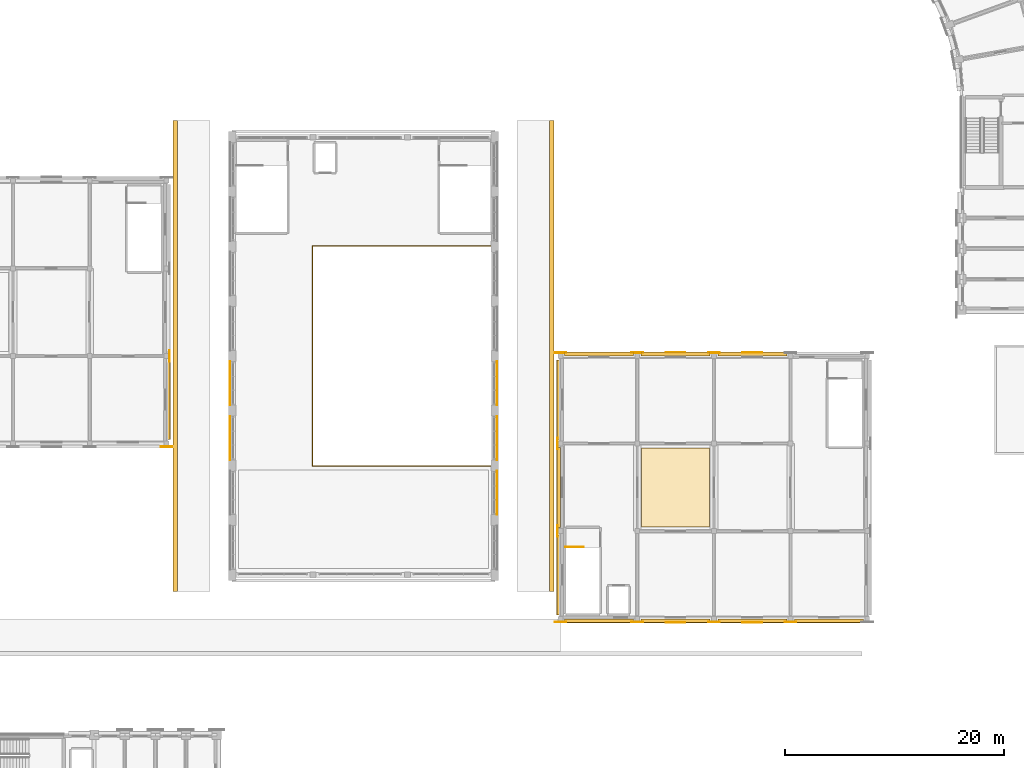
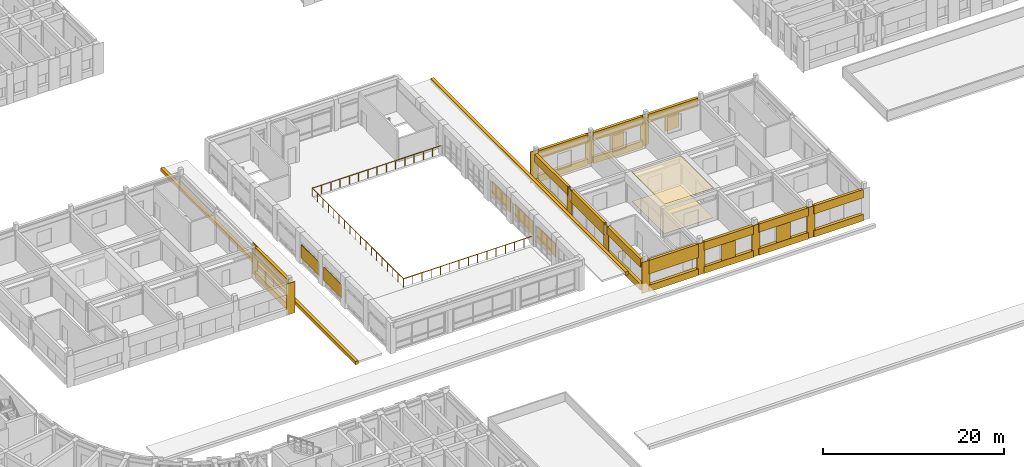
# One storey, part 87 of 97: 36 coverings, 9 shading devices, 2 railings.
"""IFC4 building model written with IfcOpenShell, lengths in metres."""

import ifcopenshell
import ifcopenshell.guid

model = None  # the IFC model being written
_history = None  # IfcOwnerHistory: only IFC2X3 demands one
_inside = {}  # id of a spatial element -> (the spatial element, [elements in it])
_under = {}  # id of a project, library or spatial element -> (it, [spatial elements below it])
_declared = {}  # id of a project -> (the project, [libraries it declares])
_typed = {}  # id of a type object -> (the type object, [elements of that type])
_made_of = {}  # id of a material, layer set ... -> (it, [elements and type objects made of it])


def new_model(schema):
    """Start an empty IFC model of exactly this schema.

    Asked for "IFC4X3", IfcOpenShell would pick the latest addendum, in which some entities
    have other attributes; the version numbers below select the first issue.
    IFC2X3 requires an IfcOwnerHistory on every rooted entity: one is made here for all.
    """
    global model, _history
    if schema == "IFC4X3":
        model = ifcopenshell.file(schema_version=(4, 3, 0, 0))
    else:
        model = ifcopenshell.file(schema=schema)
    _inside.clear()
    _under.clear()
    _declared.clear()
    _typed.clear()
    _made_of.clear()
    _history = None
    if model.schema == "IFC2X3":
        org = make("IfcOrganization", Name="unknown")
        user = make(
            "IfcPersonAndOrganization",
            ThePerson=make("IfcPerson", FamilyName="unknown"),
            TheOrganization=org,
        )
        app = make(
            "IfcApplication",
            ApplicationDeveloper=org,
            Version="unknown",
            ApplicationFullName="unknown",
            ApplicationIdentifier="unknown",
        )
        _history = make(
            "IfcOwnerHistory",
            OwningUser=user,
            OwningApplication=app,
            ChangeAction="ADDED",
            CreationDate=0,
        )
    return model


def make(cls, **values):
    """One entity of the class cls with the attributes given. An attribute that is None is left unset."""
    return model.create_entity(
        cls, **{name: value for name, value in values.items() if value is not None}
    )


def rooted(cls, **values):
    """An entity with a GlobalId (a new one), such as an element, a storey or a relation."""
    return make(cls, GlobalId=ifcopenshell.guid.new(), OwnerHistory=_history, **values)


def si_unit(unit_type, name, prefix=None):
    """IfcSIUnit, for example si_unit("LENGTHUNIT", "METRE", prefix="MILLI")."""
    return make("IfcSIUnit", UnitType=unit_type, Prefix=prefix, Name=name)


def assignment(units):
    """IfcUnitAssignment: the units of a project."""
    return None if units is None else make("IfcUnitAssignment", Units=units)


def point(xyz):
    """IfcCartesianPoint."""
    return None if xyz is None else make("IfcCartesianPoint", Coordinates=xyz)


def direction(xyz):
    """IfcDirection."""
    return None if xyz is None else make("IfcDirection", DirectionRatios=xyz)


def frame(location, z_axis=None, x_axis=None):
    """IfcAxis2Placement3D, a coordinate frame: its origin and axes. An axis left out is left unset."""
    return make(
        "IfcAxis2Placement3D",
        Location=point(location),
        Axis=direction(z_axis),
        RefDirection=direction(x_axis),
    )


def frame_2d(location, x_axis=None):
    """IfcAxis2Placement2D, a coordinate frame in the plane: its origin and x axis."""
    return make(
        "IfcAxis2Placement2D", Location=point(location), RefDirection=direction(x_axis)
    )


def origin():
    """The frame at (0, 0, 0) with its axes left unset."""
    return frame((0.0, 0.0, 0.0))


def origin_2d():
    """The frame at (0, 0) in the plane with its x axis left unset."""
    return frame_2d((0.0, 0.0))


def place(relative_to, where):
    """IfcLocalPlacement: puts the frame where relative to a parent placement (None: the world)."""
    return make(
        "IfcLocalPlacement", PlacementRelTo=relative_to, RelativePlacement=where
    )


def context(
    kind, dimensions, precision=None, world=None, true_north=None, identifier=None
):
    """IfcGeometricRepresentationContext, for example the 3D "Model" context."""
    return make(
        "IfcGeometricRepresentationContext",
        ContextIdentifier=identifier,
        ContextType=kind,
        CoordinateSpaceDimension=dimensions,
        Precision=precision,
        WorldCoordinateSystem=world,
        TrueNorth=true_north,
    )


def subcontext(parent, identifier, kind, view, scale=None):
    """IfcGeometricRepresentationSubContext, for example "Body" below "Model"."""
    return make(
        "IfcGeometricRepresentationSubContext",
        ContextIdentifier=identifier,
        ContextType=kind,
        ParentContext=parent,
        TargetScale=scale,
        TargetView=view,
    )


def project(units=None, contexts=None):
    """IfcProject with its units and contexts."""
    return rooted(
        "IfcProject",
        Name="project",
        RepresentationContexts=contexts,
        UnitsInContext=assignment(units),
    )


def spatial(cls, under=None, at=None, **own):
    """A site, building, storey or space (cls), placed at a placement, below another one or the project."""
    s = rooted(cls, ObjectPlacement=at, **own)
    if under is not None:
        _under.setdefault(under.id(), (under, []))[1].append(s)
    return s


def polyline(points):
    """IfcPolyline through the points."""
    return make("IfcPolyline", Points=[point(p) for p in points])


def profile(cls, at=None, kind="AREA", **sizes):
    """A parametric profile (cls). Its sizes go by their IFC names, for example OverallWidth=200.0."""
    return make(cls, ProfileType=kind, Position=at, **sizes)


def rectangle(**sizes):
    """IfcRectangleProfileDef."""
    return profile("IfcRectangleProfileDef", **sizes)


def circle(**sizes):
    """IfcCircleProfileDef."""
    return profile("IfcCircleProfileDef", **sizes)


def outline(outer, holes=None, kind="AREA"):
    """IfcArbitraryClosedProfileDef: a profile drawn as a closed curve; with holes, ...WithVoids."""
    if holes is None:
        return make("IfcArbitraryClosedProfileDef", ProfileType=kind, OuterCurve=outer)
    return make(
        "IfcArbitraryProfileDefWithVoids",
        ProfileType=kind,
        OuterCurve=outer,
        InnerCurves=holes,
    )


def extrude(swept, where, along, depth):
    """IfcExtrudedAreaSolid: the profile swept, set in the frame where, extruded along a direction by depth."""
    return make(
        "IfcExtrudedAreaSolid",
        SweptArea=swept,
        Position=where,
        ExtrudedDirection=direction(along),
        Depth=depth,
    )


def shape(context_of_items, identifier, shape_type, items):
    """IfcShapeRepresentation: the items that make up one representation, for example the "Body"."""
    return make(
        "IfcShapeRepresentation",
        ContextOfItems=context_of_items,
        RepresentationIdentifier=identifier,
        RepresentationType=shape_type,
        Items=items,
    )


def material(Name=None, Category=None):
    """IfcMaterial."""
    return make("IfcMaterial", Name=Name, Category=Category)


def layer(
    of_material, thickness, ventilated=None, Name=None, Category=None, Priority=None
):
    """IfcMaterialLayer: one layer of a wall or slab, of a material (None: an air gap)."""
    return make(
        "IfcMaterialLayer",
        Material=of_material,
        LayerThickness=thickness,
        IsVentilated=ventilated,
        Name=Name,
        Category=Category,
        Priority=Priority,
    )


def layer_set(layers, Name=None):
    """IfcMaterialLayerSet."""
    return make("IfcMaterialLayerSet", MaterialLayers=layers, LayerSetName=Name)


def made_of(thing, what):
    """Note that an element or type object is made of a material, layer set ...; save() writes the relation."""
    if what is not None:
        _made_of.setdefault(what.id(), (what, []))[1].append(thing)
    return thing


def type_object(cls, material=None, **own):
    """A type object (cls), such as IfcWallType, which elements share."""
    return made_of(rooted(cls, **own), material)


def element(
    cls,
    number,
    at=None,
    inside=None,
    cuts=None,
    type_object=None,
    material=None,
    context=None,
    identifier="Body",
    shape_type=None,
    held_by="IfcProductDefinitionShape",
    body=None,
    shapes=None,
    **own,
):
    """One element of the class cls, such as IfcWall. Its Tag is "e" and its number.

    at: its placement. inside: the storey or other place that contains it. cuts: it is an
    opening in that element (IfcRelVoidsElement). A single representation is given by context,
    identifier, shape_type and body (its items); several are given by shapes. held_by: the class
    of the entity that holds the representations. save() writes the other relations.
    """
    e = rooted(cls, Tag="e%d" % number, ObjectPlacement=at, **own)
    if body is not None:
        shapes = [shape(context, identifier, shape_type, body)]
    if shapes is not None:
        e.Representation = make(held_by, Representations=shapes)
    if inside is not None:
        _inside.setdefault(inside.id(), (inside, []))[1].append(e)
    if cuts is not None:
        rooted(
            "IfcRelVoidsElement", RelatingBuildingElement=cuts, RelatedOpeningElement=e
        )
    if type_object is not None:
        _typed.setdefault(type_object.id(), (type_object, []))[1].append(e)
    return made_of(e, material)


def aggregate(whole, parts):
    """IfcRelAggregates: a whole, such as a stair, and the parts it consists of."""
    return rooted("IfcRelAggregates", RelatingObject=whole, RelatedObjects=parts)


def save(model, path):
    """Write the relations noted so far, then the file.

    IfcRelAggregates (storeys below a building ...), IfcRelContainedInSpatialStructure (elements
    in a storey), IfcRelDefinesByType, IfcRelAssociatesMaterial and IfcRelDeclares: one each for
    every whole, place, type object, material and project.
    """
    for whole, parts in _under.values():
        aggregate(whole, parts)
    for where, things in _inside.values():
        rooted(
            "IfcRelContainedInSpatialStructure",
            RelatedElements=things,
            RelatingStructure=where,
        )
    for kind, things in _typed.values():
        rooted("IfcRelDefinesByType", RelatedObjects=things, RelatingType=kind)
    for what, things in _made_of.values():
        rooted("IfcRelAssociatesMaterial", RelatedObjects=things, RelatingMaterial=what)
    for by, libraries in _declared.values():
        rooted("IfcRelDeclares", RelatingContext=by, RelatedDefinitions=libraries)
    model.write(path)


model = new_model("IFC4")

# Units and contexts
model_context = context("Model", 3, precision=1e-05, world=origin(), true_north=direction((0.0, 1.0)))
body_context = subcontext(model_context, "Body", "Model", "MODEL_VIEW")
ifc_project = project(units=[si_unit("LENGTHUNIT", "METRE"), si_unit("AREAUNIT", "SQUARE_METRE"), si_unit("VOLUMEUNIT", "CUBIC_METRE"), si_unit("PLANEANGLEUNIT", "RADIAN"), si_unit("MASSUNIT", "GRAM", prefix="KILO")], contexts=[model_context])

# Site, building, storey
site_placement = place(None, origin())
site = spatial("IfcSite", under=ifc_project, at=site_placement, CompositionType="ELEMENT")
building_placement = place(site_placement, origin())
building = spatial("IfcBuilding", under=site, at=building_placement, Name="Kiranvali Square Residences", CompositionType="ELEMENT")
storey_placement = place(building_placement, frame((0.0, 0.0, 4.5)))
storey = spatial("IfcBuildingStorey", under=building, at=storey_placement, Name="L01", CompositionType="ELEMENT", Elevation=4.5)

# Coverings
ifc_material_1 = material(Name="Perforated acoustic mineral-fibre and gypsum board ceiling", Category="gypsum")
ifc_layer_1 = layer(ifc_material_1, 0.030029296875)
ifc_layer_set_1 = layer_set([ifc_layer_1], Name="Perforated acoustic mineral-fibre and gypsum board ceiling")
covering_type_1 = type_object("IfcCoveringType", Name="COV-CEIL-ACOUSTIC", PredefinedType="CEILING", material=ifc_layer_set_1)
covering_1_placement = place(storey_placement, frame((0.0, 0.0, 3.969970703125)))
element("IfcCovering", 1, at=covering_1_placement, inside=storey, type_object=covering_type_1, Name="Square View Mezzanine Dining acoustic ceiling", PredefinedType="CEILING", context=body_context, shape_type="SweptSolid", body=[
    extrude(outline(polyline([(109.39990234375, 48.39990234375), (115.60009765625, 48.39990234375), (115.60009765625, 55.60009765625), (109.39990234375, 55.60009765625), (109.39990234375, 48.39990234375)])), origin(), (0.0, 0.0, 1.0), 0.030029296875),
])
ifc_material_2 = material(Name="Carved Porbandar limestone classical entablature and cornice", Category="masonry")
ifc_layer_2 = layer(ifc_material_2, 0.449951171875)
ifc_layer_set_2 = layer_set([ifc_layer_2], Name="Carved Porbandar limestone classical entablature and cornice")
covering_type_2 = type_object("IfcCoveringType", Name="COV-CLAD-CORN", PredefinedType="CLADDING", material=ifc_layer_set_2)
covering_2_placement = place(storey_placement, frame((0.0, 0.0, 0.919921875)))
element("IfcCovering", 2, at=covering_2_placement, inside=storey, type_object=covering_type_2, Name="Classical Ottoman colonnade carved stone cornice CLAD-CORN-ARCGDNW", PredefinedType="CLADDING", context=body_context, shape_type="SweptSolid", body=[
    extrude(outline(polyline([(66.99951171875, 42.5), (66.99951171875, 85.5), (66.6201171875, 85.5), (66.6201171875, 42.5), (66.99951171875, 42.5)])), origin(), (0.0, 0.0, 1.0), 0.4599609375),
])
covering_3_placement = place(storey_placement, frame((0.0, 0.0, 0.919921875)))
element("IfcCovering", 3, at=covering_3_placement, inside=storey, type_object=covering_type_2, Name="Classical Ottoman colonnade carved stone cornice CLAD-CORN-ARCGDNE", PredefinedType="CLADDING", context=body_context, shape_type="SweptSolid", body=[
    extrude(outline(polyline([(101.3798828125, 42.5), (101.3798828125, 85.5), (101.00048828125, 85.5), (101.00048828125, 42.5), (101.3798828125, 42.5)])), origin(), (0.0, 0.0, 1.0), 0.4599609375),
])
ifc_material_3 = material(Name="Honed Porbandar limestone ashlar facade cladding", Category="masonry")
ifc_layer_3 = layer(ifc_material_3, 0.06494140625)
ifc_layer_set_3 = layer_set([ifc_layer_3], Name="Honed Porbandar limestone ashlar facade cladding")
covering_type_3 = type_object("IfcCoveringType", Name="COV-CLAD-PIER", PredefinedType="CLADDING", material=ifc_layer_set_3)
covering_4_placement = place(storey_placement, frame((0.0, 0.0, 0.0048828125)))
element("IfcCovering", 4, at=covering_4_placement, inside=storey, type_object=covering_type_3, Name="L01 Classical limestone pilaster casing CLAD-NR-L01-S4", PredefinedType="CLADDING", context=body_context, shape_type="SweptSolid", body=[
    extrude(outline(polyline([(65.469970703125, 55.681884765625), (66.530029296875, 55.681884765625), (66.530029296875, 55.74951171875), (65.469970703125, 55.74951171875), (65.469970703125, 55.681884765625)])), origin(), (0.0, 0.0, 1.0), 4.190185546875),
])
covering_5_placement = place(storey_placement, frame((0.0, 0.0, 0.0048828125)))
element("IfcCovering", 5, at=covering_5_placement, inside=storey, type_object=covering_type_3, Name="L01 Classical limestone pilaster casing CLAD-NR-L01-E1", PredefinedType="CLADDING", context=body_context, shape_type="SweptSolid", body=[
    extrude(outline(polyline([(66.318115234375, 63.469970703125), (66.318115234375, 64.530029296875), (66.25048828125, 64.530029296875), (66.25048828125, 63.469970703125), (66.318115234375, 63.469970703125)])), origin(), (0.0, 0.0, 1.0), 4.190185546875),
])
covering_6_placement = place(storey_placement, frame((0.0, 0.0, 0.0048828125)))
element("IfcCovering", 6, at=covering_6_placement, inside=storey, type_object=covering_type_3, Name="L01 Classical limestone pilaster casing CLAD-RT-L01-S0", PredefinedType="CLADDING", context=body_context, shape_type="SweptSolid", body=[
    extrude(outline(polyline([(101.469970703125, 39.681884765625), (102.530029296875, 39.681884765625), (102.530029296875, 39.74951171875), (101.469970703125, 39.74951171875), (101.469970703125, 39.681884765625)])), origin(), (0.0, 0.0, 1.0), 4.190185546875),
])
covering_7_placement = place(storey_placement, frame((0.0, 0.0, 0.0048828125)))
element("IfcCovering", 7, at=covering_7_placement, inside=storey, type_object=covering_type_3, Name="L01 Classical limestone pilaster casing CLAD-RT-L01-N0", PredefinedType="CLADDING", context=body_context, shape_type="SweptSolid", body=[
    extrude(outline(polyline([(101.469970703125, 64.25048828125), (102.530029296875, 64.25048828125), (102.530029296875, 64.318115234375), (101.469970703125, 64.318115234375), (101.469970703125, 64.25048828125)])), origin(), (0.0, 0.0, 1.0), 4.190185546875),
])
covering_8_placement = place(storey_placement, frame((0.0, 0.0, 0.0048828125)))
element("IfcCovering", 8, at=covering_8_placement, inside=storey, type_object=covering_type_3, Name="L01 Classical limestone pilaster casing CLAD-RT-L01-S1", PredefinedType="CLADDING", context=body_context, shape_type="SweptSolid", body=[
    extrude(outline(polyline([(108.469970703125, 39.681884765625), (109.530029296875, 39.681884765625), (109.530029296875, 39.74951171875), (108.469970703125, 39.74951171875), (108.469970703125, 39.681884765625)])), origin(), (0.0, 0.0, 1.0), 4.190185546875),
])
covering_9_placement = place(storey_placement, frame((0.0, 0.0, 0.0048828125)))
element("IfcCovering", 9, at=covering_9_placement, inside=storey, type_object=covering_type_3, Name="L01 Classical limestone pilaster casing CLAD-RT-L01-N1", PredefinedType="CLADDING", context=body_context, shape_type="SweptSolid", body=[
    extrude(outline(polyline([(108.469970703125, 64.25048828125), (109.530029296875, 64.25048828125), (109.530029296875, 64.318115234375), (108.469970703125, 64.318115234375), (108.469970703125, 64.25048828125)])), origin(), (0.0, 0.0, 1.0), 4.190185546875),
])
covering_10_placement = place(storey_placement, frame((0.0, 0.0, 0.0048828125)))
element("IfcCovering", 10, at=covering_10_placement, inside=storey, type_object=covering_type_3, Name="L01 Classical limestone pilaster casing CLAD-RT-L01-S2", PredefinedType="CLADDING", context=body_context, shape_type="SweptSolid", body=[
    extrude(outline(polyline([(115.469970703125, 39.681884765625), (116.530029296875, 39.681884765625), (116.530029296875, 39.74951171875), (115.469970703125, 39.74951171875), (115.469970703125, 39.681884765625)])), origin(), (0.0, 0.0, 1.0), 4.190185546875),
])
covering_11_placement = place(storey_placement, frame((0.0, 0.0, 0.0048828125)))
element("IfcCovering", 11, at=covering_11_placement, inside=storey, type_object=covering_type_3, Name="L01 Classical limestone pilaster casing CLAD-RT-L01-N2", PredefinedType="CLADDING", context=body_context, shape_type="SweptSolid", body=[
    extrude(outline(polyline([(115.469970703125, 64.25048828125), (116.530029296875, 64.25048828125), (116.530029296875, 64.318115234375), (115.469970703125, 64.318115234375), (115.469970703125, 64.25048828125)])), origin(), (0.0, 0.0, 1.0), 4.190185546875),
])
covering_12_placement = place(storey_placement, frame((0.0, 0.0, 0.0048828125)))
element("IfcCovering", 12, at=covering_12_placement, inside=storey, type_object=covering_type_3, Name="L01 Classical limestone pilaster casing CLAD-RT-L01-S3", PredefinedType="CLADDING", context=body_context, shape_type="SweptSolid", body=[
    extrude(outline(polyline([(122.469970703125, 39.681884765625), (123.530029296875, 39.681884765625), (123.530029296875, 39.74951171875), (122.469970703125, 39.74951171875), (122.469970703125, 39.681884765625)])), origin(), (0.0, 0.0, 1.0), 4.190185546875),
])
covering_13_placement = place(storey_placement, frame((0.0, 0.0, 0.0048828125)))
element("IfcCovering", 13, at=covering_13_placement, inside=storey, type_object=covering_type_3, Name="L01 Classical limestone pilaster casing CLAD-RT-L01-W1", PredefinedType="CLADDING", context=body_context, shape_type="SweptSolid", body=[
    extrude(outline(polyline([(101.74951171875, 47.469970703125), (101.74951171875, 48.530029296875), (101.681884765625, 48.530029296875), (101.681884765625, 47.469970703125), (101.74951171875, 47.469970703125)])), origin(), (0.0, 0.0, 1.0), 4.190185546875),
])
covering_14_placement = place(storey_placement, frame((0.0, 0.0, 0.0048828125)))
element("IfcCovering", 14, at=covering_14_placement, inside=storey, type_object=covering_type_3, Name="L01 Classical limestone pilaster casing CLAD-RT-L01-W2", PredefinedType="CLADDING", context=body_context, shape_type="SweptSolid", body=[
    extrude(outline(polyline([(101.74951171875, 55.469970703125), (101.74951171875, 56.530029296875), (101.681884765625, 56.530029296875), (101.681884765625, 55.469970703125), (101.74951171875, 55.469970703125)])), origin(), (0.0, 0.0, 1.0), 4.190185546875),
])
ifc_layer_4 = layer(ifc_material_3, 0.360107421875)
ifc_layer_set_4 = layer_set([ifc_layer_4], Name="Honed Porbandar limestone ashlar facade cladding")
covering_type_4 = type_object("IfcCoveringType", Name="COV-CLAD-WALL", PredefinedType="CLADDING", material=ifc_layer_set_4)
covering_15_placement = place(storey_placement, frame((0.0, 0.0, 2.780029296875)))
element("IfcCovering", 15, at=covering_15_placement, inside=storey, type_object=covering_type_4, Name="L01 light limestone spandrel lintel NR-L01-E-0", PredefinedType="CLADDING", context=body_context, shape_type="SweptSolid", body=[
    extrude(outline(polyline([(66.35009765625, 56.35009765625), (66.35009765625, 63.64990234375), (66.00048828125, 63.64990234375), (66.00048828125, 56.35009765625), (66.35009765625, 56.35009765625)])), origin(), (0.0, 0.0, 1.0), 1.4150390625),
])
covering_16_placement = place(storey_placement, frame((0.0, 0.0, 0.0048828125)))
element("IfcCovering", 16, at=covering_16_placement, inside=storey, type_object=covering_type_4, Name="L01 limestone window sill apron NR-L01-E-0", PredefinedType="CLADDING", context=body_context, shape_type="SweptSolid", body=[
    extrude(outline(polyline([(66.3798828125, 56.35009765625), (66.3798828125, 63.64990234375), (66.00048828125, 63.64990234375), (66.00048828125, 56.35009765625), (66.3798828125, 56.35009765625)])), origin(), (0.0, 0.0, 1.0), 0.875),
])
covering_17_placement = place(storey_placement, frame((0.0, 0.0, 2.3798828125)))
element("IfcCovering", 17, at=covering_17_placement, inside=storey, type_object=covering_type_4, Name="L01 light limestone spandrel lintel RT-L01-S-0", PredefinedType="CLADDING", context=body_context, shape_type="SweptSolid", body=[
    extrude(outline(polyline([(102.35009765625, 39.64990234375), (108.64990234375, 39.64990234375), (108.64990234375, 39.99951171875), (102.35009765625, 39.99951171875), (102.35009765625, 39.64990234375)])), origin(), (0.0, 0.0, 1.0), 1.815185546875),
])
covering_18_placement = place(storey_placement, frame((0.0, 0.0, 0.0048828125)))
element("IfcCovering", 18, at=covering_18_placement, inside=storey, type_object=covering_type_4, Name="L01 limestone window sill apron RT-L01-S-0", PredefinedType="CLADDING", context=body_context, shape_type="SweptSolid", body=[
    extrude(outline(polyline([(102.35009765625, 39.6201171875), (108.64990234375, 39.6201171875), (108.64990234375, 39.99951171875), (102.35009765625, 39.99951171875), (102.35009765625, 39.6201171875)])), origin(), (0.0, 0.0, 1.0), 0.875),
])
covering_19_placement = place(storey_placement, frame((0.0, 0.0, 3.080078125)))
element("IfcCovering", 19, at=covering_19_placement, inside=storey, type_object=covering_type_4, Name="L01 light limestone spandrel lintel RT-L01-N-0", PredefinedType="CLADDING", context=body_context, shape_type="SweptSolid", body=[
    extrude(outline(polyline([(102.35009765625, 64.00048828125), (108.64990234375, 64.00048828125), (108.64990234375, 64.35009765625), (102.35009765625, 64.35009765625), (102.35009765625, 64.00048828125)])), origin(), (0.0, 0.0, 1.0), 1.114990234375),
])
covering_20_placement = place(storey_placement, frame((0.0, 0.0, 0.0048828125)))
element("IfcCovering", 20, at=covering_20_placement, inside=storey, type_object=covering_type_4, Name="L01 limestone window sill apron RT-L01-N-0", PredefinedType="CLADDING", context=body_context, shape_type="SweptSolid", body=[
    extrude(outline(polyline([(102.35009765625, 64.00048828125), (108.64990234375, 64.00048828125), (108.64990234375, 64.3798828125), (102.35009765625, 64.3798828125), (102.35009765625, 64.00048828125)])), origin(), (0.0, 0.0, 1.0), 0.875),
])
covering_21_placement = place(storey_placement, frame((0.0, 0.0, 3.080078125)))
element("IfcCovering", 21, at=covering_21_placement, inside=storey, type_object=covering_type_4, Name="L01 light limestone spandrel lintel RT-L01-S-1", PredefinedType="CLADDING", context=body_context, shape_type="SweptSolid", body=[
    extrude(outline(polyline([(109.35009765625, 39.64990234375), (115.64990234375, 39.64990234375), (115.64990234375, 39.99951171875), (109.35009765625, 39.99951171875), (109.35009765625, 39.64990234375)])), origin(), (0.0, 0.0, 1.0), 1.114990234375),
])
covering_22_placement = place(storey_placement, frame((0.0, 0.0, 0.0048828125)))
element("IfcCovering", 22, at=covering_22_placement, inside=storey, type_object=covering_type_4, Name="L01 limestone window sill apron RT-L01-S-1", PredefinedType="CLADDING", context=body_context, shape_type="SweptSolid", body=[
    extrude(outline(polyline([(109.35009765625, 39.6201171875), (115.64990234375, 39.6201171875), (115.64990234375, 39.99951171875), (109.35009765625, 39.99951171875), (109.35009765625, 39.6201171875)])), origin(), (0.0, 0.0, 1.0), 0.875),
])
covering_23_placement = place(storey_placement, frame((0.0, 0.0, 3.080078125)))
element("IfcCovering", 23, at=covering_23_placement, inside=storey, type_object=covering_type_4, Name="L01 light limestone spandrel lintel RT-L01-N-1", PredefinedType="CLADDING", context=body_context, shape_type="SweptSolid", body=[
    extrude(outline(polyline([(109.35009765625, 64.00048828125), (115.64990234375, 64.00048828125), (115.64990234375, 64.35009765625), (109.35009765625, 64.35009765625), (109.35009765625, 64.00048828125)])), origin(), (0.0, 0.0, 1.0), 1.114990234375),
])
covering_24_placement = place(storey_placement, frame((0.0, 0.0, 0.0048828125)))
element("IfcCovering", 24, at=covering_24_placement, inside=storey, type_object=covering_type_4, Name="L01 limestone window sill apron RT-L01-N-1", PredefinedType="CLADDING", context=body_context, shape_type="SweptSolid", body=[
    extrude(outline(polyline([(109.35009765625, 64.00048828125), (115.64990234375, 64.00048828125), (115.64990234375, 64.3798828125), (109.35009765625, 64.3798828125), (109.35009765625, 64.00048828125)])), origin(), (0.0, 0.0, 1.0), 0.875),
])
covering_25_placement = place(storey_placement, frame((0.0, 0.0, 3.080078125)))
element("IfcCovering", 25, at=covering_25_placement, inside=storey, type_object=covering_type_4, Name="L01 light limestone spandrel lintel RT-L01-S-2", PredefinedType="CLADDING", context=body_context, shape_type="SweptSolid", body=[
    extrude(outline(polyline([(116.35009765625, 39.64990234375), (122.64990234375, 39.64990234375), (122.64990234375, 39.99951171875), (116.35009765625, 39.99951171875), (116.35009765625, 39.64990234375)])), origin(), (0.0, 0.0, 1.0), 1.114990234375),
])
covering_26_placement = place(storey_placement, frame((0.0, 0.0, 0.0048828125)))
element("IfcCovering", 26, at=covering_26_placement, inside=storey, type_object=covering_type_4, Name="L01 limestone window sill apron RT-L01-S-2", PredefinedType="CLADDING", context=body_context, shape_type="SweptSolid", body=[
    extrude(outline(polyline([(116.35009765625, 39.6201171875), (122.64990234375, 39.6201171875), (122.64990234375, 39.99951171875), (116.35009765625, 39.99951171875), (116.35009765625, 39.6201171875)])), origin(), (0.0, 0.0, 1.0), 0.875),
])
covering_27_placement = place(storey_placement, frame((0.0, 0.0, 3.080078125)))
element("IfcCovering", 27, at=covering_27_placement, inside=storey, type_object=covering_type_4, Name="L01 light limestone spandrel lintel RT-L01-N-2", PredefinedType="CLADDING", context=body_context, shape_type="SweptSolid", body=[
    extrude(outline(polyline([(116.35009765625, 64.00048828125), (122.64990234375, 64.00048828125), (122.64990234375, 64.35009765625), (116.35009765625, 64.35009765625), (116.35009765625, 64.00048828125)])), origin(), (0.0, 0.0, 1.0), 1.114990234375),
])
covering_28_placement = place(storey_placement, frame((0.0, 0.0, 3.080078125)))
element("IfcCovering", 28, at=covering_28_placement, inside=storey, type_object=covering_type_4, Name="L01 light limestone spandrel lintel RT-L01-S-3", PredefinedType="CLADDING", context=body_context, shape_type="SweptSolid", body=[
    extrude(outline(polyline([(123.35009765625, 39.64990234375), (129.64990234375, 39.64990234375), (129.64990234375, 39.99951171875), (123.35009765625, 39.99951171875), (123.35009765625, 39.64990234375)])), origin(), (0.0, 0.0, 1.0), 1.114990234375),
])
covering_29_placement = place(storey_placement, frame((0.0, 0.0, 0.0048828125)))
element("IfcCovering", 29, at=covering_29_placement, inside=storey, type_object=covering_type_4, Name="L01 limestone window sill apron RT-L01-S-3", PredefinedType="CLADDING", context=body_context, shape_type="SweptSolid", body=[
    extrude(outline(polyline([(123.35009765625, 39.6201171875), (129.64990234375, 39.6201171875), (129.64990234375, 39.99951171875), (123.35009765625, 39.99951171875), (123.35009765625, 39.6201171875)])), origin(), (0.0, 0.0, 1.0), 0.875),
])
covering_30_placement = place(storey_placement, frame((0.0, 0.0, 3.080078125)))
element("IfcCovering", 30, at=covering_30_placement, inside=storey, type_object=covering_type_4, Name="L01 light limestone spandrel lintel RT-L01-W-0", PredefinedType="CLADDING", context=body_context, shape_type="SweptSolid", body=[
    extrude(outline(polyline([(101.99951171875, 40.35009765625), (101.99951171875, 47.64990234375), (101.64990234375, 47.64990234375), (101.64990234375, 40.35009765625), (101.99951171875, 40.35009765625)])), origin(), (0.0, 0.0, 1.0), 1.114990234375),
])
covering_31_placement = place(storey_placement, frame((0.0, 0.0, 0.0048828125)))
element("IfcCovering", 31, at=covering_31_placement, inside=storey, type_object=covering_type_4, Name="L01 limestone window sill apron RT-L01-W-0", PredefinedType="CLADDING", context=body_context, shape_type="SweptSolid", body=[
    extrude(outline(polyline([(101.99951171875, 40.35009765625), (101.99951171875, 47.64990234375), (101.6201171875, 47.64990234375), (101.6201171875, 40.35009765625), (101.99951171875, 40.35009765625)])), origin(), (0.0, 0.0, 1.0), 0.875),
])
covering_32_placement = place(storey_placement, frame((0.0, 0.0, 2.592041015625)))
element("IfcCovering", 32, at=covering_32_placement, inside=storey, type_object=covering_type_4, Name="L01 light limestone spandrel lintel RT-L01-W-1", PredefinedType="CLADDING", context=body_context, shape_type="SweptSolid", body=[
    extrude(outline(polyline([(101.99951171875, 48.35009765625), (101.99951171875, 55.64990234375), (101.64990234375, 55.64990234375), (101.64990234375, 48.35009765625), (101.99951171875, 48.35009765625)])), origin(), (0.0, 0.0, 1.0), 1.60302734375),
])
covering_33_placement = place(storey_placement, frame((0.0, 0.0, 0.0048828125)))
element("IfcCovering", 33, at=covering_33_placement, inside=storey, type_object=covering_type_4, Name="L01 limestone window sill apron RT-L01-W-1", PredefinedType="CLADDING", context=body_context, shape_type="SweptSolid", body=[
    extrude(outline(polyline([(101.99951171875, 48.35009765625), (101.99951171875, 55.64990234375), (101.6201171875, 55.64990234375), (101.6201171875, 48.35009765625), (101.99951171875, 48.35009765625)])), origin(), (0.0, 0.0, 1.0), 0.38720703125),
])
covering_34_placement = place(storey_placement, frame((0.0, 0.0, 3.080078125)))
element("IfcCovering", 34, at=covering_34_placement, inside=storey, type_object=covering_type_4, Name="L01 light limestone spandrel lintel RT-L01-W-2", PredefinedType="CLADDING", context=body_context, shape_type="SweptSolid", body=[
    extrude(outline(polyline([(101.99951171875, 56.35009765625), (101.99951171875, 63.64990234375), (101.64990234375, 63.64990234375), (101.64990234375, 56.35009765625), (101.99951171875, 56.35009765625)])), origin(), (0.0, 0.0, 1.0), 1.114990234375),
])
covering_35_placement = place(storey_placement, frame((0.0, 0.0, 0.0048828125)))
element("IfcCovering", 35, at=covering_35_placement, inside=storey, type_object=covering_type_4, Name="L01 limestone window sill apron RT-L01-W-2", PredefinedType="CLADDING", context=body_context, shape_type="SweptSolid", body=[
    extrude(outline(polyline([(101.99951171875, 56.35009765625), (101.99951171875, 63.64990234375), (101.6201171875, 63.64990234375), (101.6201171875, 56.35009765625), (101.99951171875, 56.35009765625)])), origin(), (0.0, 0.0, 1.0), 0.875),
])
ifc_material_4 = material(Name="Polished terrazzo and anti-slip vitrified floor finish", Category="stone")
ifc_layer_5 = layer(ifc_material_4, 0.030029296875)
ifc_layer_set_5 = layer_set([ifc_layer_5], Name="Polished terrazzo and anti-slip vitrified floor finish")
covering_type_5 = type_object("IfcCoveringType", Name="COV-FLR-TERRAZZO", PredefinedType="FLOORING", material=ifc_layer_set_5)
covering_36_placement = place(storey_placement, origin())
element("IfcCovering", 36, at=covering_36_placement, inside=storey, type_object=covering_type_5, Name="Square View Mezzanine Dining terrazzo flooring", PredefinedType="FLOORING", context=body_context, shape_type="SweptSolid", body=[
    extrude(outline(polyline([(109.39990234375, 48.39990234375), (115.60009765625, 48.39990234375), (115.60009765625, 55.60009765625), (109.39990234375, 55.60009765625), (109.39990234375, 48.39990234375)])), origin(), (0.0, 0.0, 1.0), 0.030029296875),
])

# Railings
ifc_material_5 = material(Name="Brushed stainless steel tubular handrail", Category="steel")
railing_type_1 = type_object("IfcRailingType", Name="RL-GAL-1150", PredefinedType="GUARDRAIL", material=ifc_material_5)
railing_1_placement = place(storey_placement, frame((95.85009765625, 53.93994140625, 0.0)))
element("IfcRailing", 37, at=railing_1_placement, inside=storey, type_object=railing_type_1, Name="Community Hall mezzanine gallery overlook balustrade", PredefinedType="GUARDRAIL", context=body_context, shape_type="SweptSolid", body=[
    extrude(circle(Radius=0.02392578125, at=origin_2d()), frame((0.0, 0.0, 1.1259765625), z_axis=(-1.0, 0.0, 0.0), x_axis=(0.0, -1.0, 0.0)), (0.0, 0.0, 1.0), 16.510009765625),
    extrude(circle(Radius=0.02392578125, at=origin_2d()), frame((-16.510009765625, 0.0, 1.1259765625), z_axis=(0.0, 1.0, 0.0), x_axis=(-1.0, 0.0, 0.0)), (0.0, 0.0, 1.0), 20.1201171875),
    extrude(circle(Radius=0.02392578125, at=origin_2d()), frame((-16.510009765625, 20.1201171875, 1.1259765625), z_axis=(1.0, 0.0, 0.0), x_axis=(0.0, 1.0, 0.0)), (0.0, 0.0, 1.0), 16.510009765625),
    extrude(circle(Radius=0.02099609375, at=origin_2d()), origin(), (0.0, 0.0, 1.0), 1.101806640625),
    extrude(circle(Radius=0.02099609375, at=origin_2d()), frame((-1.17919921875, 0.0, 0.0)), (0.0, 0.0, 1.0), 1.101806640625),
    extrude(circle(Radius=0.02099609375, at=origin_2d()), frame((-2.358642578125, 0.0, 0.0)), (0.0, 0.0, 1.0), 1.101806640625),
    extrude(circle(Radius=0.02099609375, at=origin_2d()), frame((-3.537841796875, 0.0, 0.0)), (0.0, 0.0, 1.0), 1.101806640625),
    extrude(circle(Radius=0.02099609375, at=origin_2d()), frame((-4.717041015625, 0.0, 0.0)), (0.0, 0.0, 1.0), 1.101806640625),
    extrude(circle(Radius=0.02099609375, at=origin_2d()), frame((-5.896484375, 0.0, 0.0)), (0.0, 0.0, 1.0), 1.101806640625),
    extrude(circle(Radius=0.02099609375, at=origin_2d()), frame((-7.07568359375, 0.0, 0.0)), (0.0, 0.0, 1.0), 1.101806640625),
    extrude(circle(Radius=0.02099609375, at=origin_2d()), frame((-8.2548828125, 0.0, 0.0)), (0.0, 0.0, 1.0), 1.101806640625),
    extrude(circle(Radius=0.02099609375, at=origin_2d()), frame((-9.434326171875, 0.0, 0.0)), (0.0, 0.0, 1.0), 1.101806640625),
    extrude(circle(Radius=0.02099609375, at=origin_2d()), frame((-10.613525390625, 0.0, 0.0)), (0.0, 0.0, 1.0), 1.101806640625),
    extrude(circle(Radius=0.02099609375, at=origin_2d()), frame((-11.79296875, 0.0, 0.0)), (0.0, 0.0, 1.0), 1.101806640625),
    extrude(circle(Radius=0.02099609375, at=origin_2d()), frame((-12.97216796875, 0.0, 0.0)), (0.0, 0.0, 1.0), 1.101806640625),
    extrude(circle(Radius=0.02099609375, at=origin_2d()), frame((-14.1513671875, 0.0, 0.0)), (0.0, 0.0, 1.0), 1.101806640625),
    extrude(circle(Radius=0.02099609375, at=origin_2d()), frame((-15.330810546875, 0.0, 0.0)), (0.0, 0.0, 1.0), 1.101806640625),
    extrude(circle(Radius=0.02099609375, at=origin_2d()), frame((-16.510009765625, 0.0, 0.0)), (0.0, 0.0, 1.0), 1.101806640625),
    extrude(circle(Radius=0.02099609375, at=origin_2d()), frame((-16.510009765625, 1.18359375, 0.0)), (0.0, 0.0, 1.0), 1.101806640625),
    extrude(circle(Radius=0.02099609375, at=origin_2d()), frame((-16.510009765625, 2.3671875, 0.0)), (0.0, 0.0, 1.0), 1.101806640625),
    extrude(circle(Radius=0.02099609375, at=origin_2d()), frame((-16.510009765625, 3.550537109375, 0.0)), (0.0, 0.0, 1.0), 1.101806640625),
    extrude(circle(Radius=0.02099609375, at=origin_2d()), frame((-16.510009765625, 4.734130859375, 0.0)), (0.0, 0.0, 1.0), 1.101806640625),
    extrude(circle(Radius=0.02099609375, at=origin_2d()), frame((-16.510009765625, 5.917724609375, 0.0)), (0.0, 0.0, 1.0), 1.101806640625),
    extrude(circle(Radius=0.02099609375, at=origin_2d()), frame((-16.510009765625, 7.101318359375, 0.0)), (0.0, 0.0, 1.0), 1.101806640625),
    extrude(circle(Radius=0.02099609375, at=origin_2d()), frame((-16.510009765625, 8.28466796875, 0.0)), (0.0, 0.0, 1.0), 1.101806640625),
    extrude(circle(Radius=0.02099609375, at=origin_2d()), frame((-16.510009765625, 9.46826171875, 0.0)), (0.0, 0.0, 1.0), 1.101806640625),
    extrude(circle(Radius=0.02099609375, at=origin_2d()), frame((-16.510009765625, 10.65185546875, 0.0)), (0.0, 0.0, 1.0), 1.101806640625),
    extrude(circle(Radius=0.02099609375, at=origin_2d()), frame((-16.510009765625, 11.83544921875, 0.0)), (0.0, 0.0, 1.0), 1.101806640625),
    extrude(circle(Radius=0.02099609375, at=origin_2d()), frame((-16.510009765625, 13.018798828125, 0.0)), (0.0, 0.0, 1.0), 1.101806640625),
    extrude(circle(Radius=0.02099609375, at=origin_2d()), frame((-16.510009765625, 14.202392578125, 0.0)), (0.0, 0.0, 1.0), 1.101806640625),
    extrude(circle(Radius=0.02099609375, at=origin_2d()), frame((-16.510009765625, 15.385986328125, 0.0)), (0.0, 0.0, 1.0), 1.101806640625),
    extrude(circle(Radius=0.02099609375, at=origin_2d()), frame((-16.510009765625, 16.569580078125, 0.0)), (0.0, 0.0, 1.0), 1.101806640625),
    extrude(circle(Radius=0.02099609375, at=origin_2d()), frame((-16.510009765625, 17.7529296875, 0.0)), (0.0, 0.0, 1.0), 1.101806640625),
    extrude(circle(Radius=0.02099609375, at=origin_2d()), frame((-16.510009765625, 18.9365234375, 0.0)), (0.0, 0.0, 1.0), 1.101806640625),
    extrude(circle(Radius=0.02099609375, at=origin_2d()), frame((-16.510009765625, 20.1201171875, 0.0)), (0.0, 0.0, 1.0), 1.101806640625),
    extrude(circle(Radius=0.02099609375, at=origin_2d()), frame((-15.330810546875, 20.1201171875, 0.0)), (0.0, 0.0, 1.0), 1.101806640625),
    extrude(circle(Radius=0.02099609375, at=origin_2d()), frame((-14.1513671875, 20.1201171875, 0.0)), (0.0, 0.0, 1.0), 1.101806640625),
    extrude(circle(Radius=0.02099609375, at=origin_2d()), frame((-12.97216796875, 20.1201171875, 0.0)), (0.0, 0.0, 1.0), 1.101806640625),
    extrude(circle(Radius=0.02099609375, at=origin_2d()), frame((-11.79296875, 20.1201171875, 0.0)), (0.0, 0.0, 1.0), 1.101806640625),
    extrude(circle(Radius=0.02099609375, at=origin_2d()), frame((-10.613525390625, 20.1201171875, 0.0)), (0.0, 0.0, 1.0), 1.101806640625),
    extrude(circle(Radius=0.02099609375, at=origin_2d()), frame((-9.434326171875, 20.1201171875, 0.0)), (0.0, 0.0, 1.0), 1.101806640625),
    extrude(circle(Radius=0.02099609375, at=origin_2d()), frame((-8.2548828125, 20.1201171875, 0.0)), (0.0, 0.0, 1.0), 1.101806640625),
    extrude(circle(Radius=0.02099609375, at=origin_2d()), frame((-7.07568359375, 20.1201171875, 0.0)), (0.0, 0.0, 1.0), 1.101806640625),
    extrude(circle(Radius=0.02099609375, at=origin_2d()), frame((-5.896484375, 20.1201171875, 0.0)), (0.0, 0.0, 1.0), 1.101806640625),
    extrude(circle(Radius=0.02099609375, at=origin_2d()), frame((-4.717041015625, 20.1201171875, 0.0)), (0.0, 0.0, 1.0), 1.101806640625),
    extrude(circle(Radius=0.02099609375, at=origin_2d()), frame((-3.537841796875, 20.1201171875, 0.0)), (0.0, 0.0, 1.0), 1.101806640625),
    extrude(circle(Radius=0.02099609375, at=origin_2d()), frame((-2.358642578125, 20.1201171875, 0.0)), (0.0, 0.0, 1.0), 1.101806640625),
    extrude(circle(Radius=0.02099609375, at=origin_2d()), frame((-1.17919921875, 20.1201171875, 0.0)), (0.0, 0.0, 1.0), 1.101806640625),
    extrude(circle(Radius=0.02099609375, at=origin_2d()), frame((0.0, 20.1201171875, 0.0)), (0.0, 0.0, 1.0), 1.101806640625),
])
ifc_material_6 = material(Name="Powder-coated architectural bronze balustrade", Category="steel")
railing_type_2 = type_object("IfcRailingType", Name="RL-ST-GUARD-1200", PredefinedType="GUARDRAIL", material=ifc_material_6)
railing_2_placement = place(storey_placement, frame((102.449951171875, 46.550048828125, 0.0)))
element("IfcRailing", 38, at=railing_2_placement, inside=storey, type_object=railing_type_2, Name="L01 ST-RT1 top well guard 1", PredefinedType="GUARDRAIL", context=body_context, shape_type="SweptSolid", body=[
    extrude(circle(Radius=0.02392578125, at=origin_2d()), frame((0.0, 0.0, 1.1259765625), z_axis=(1.0, 0.0, 0.0), x_axis=(0.0, 1.0, 0.0)), (0.0, 0.0, 1.0), 1.650146484375),
    extrude(circle(Radius=0.02099609375, at=origin_2d()), origin(), (0.0, 0.0, 1.0), 1.101806640625),
    extrude(circle(Radius=0.02099609375, at=origin_2d()), frame((0.8251953125, 0.0, 0.0)), (0.0, 0.0, 1.0), 1.101806640625),
    extrude(circle(Radius=0.02099609375, at=origin_2d()), frame((1.650146484375, 0.0, 0.0)), (0.0, 0.0, 1.0), 1.101806640625),
])

# Shading devices
ifc_material_7 = material(Name="Pierced buff sandstone architectural mashrabiya solar screen", Category="masonry")
shading_device_type_1 = type_object("IfcShadingDeviceType", Name="SHD-JALI-1800", PredefinedType="JALOUSIE", material=ifc_material_7)
for number, where, z_axis, x_axis, name in (
    (39, (112.5, 39.669921875, 0.8798828125), (0.0, 0.0, 1.0), (1.0, 0.0, 0.0), "L01 carved stone Mashrabiya screen RT-L01-S-1"),
    (40, (112.5, 64.330078125, 0.8798828125), (0.0, 0.0, 1.0), (1.0, 0.0, 0.0), "L01 carved stone Mashrabiya screen RT-L01-N-1"),
    (41, (119.5, 39.669921875, 0.8798828125), (0.0, 0.0, 1.0), (1.0, 0.0, 0.0), "L01 carved stone Mashrabiya screen RT-L01-S-2"),
    (42, (119.5, 64.330078125, 0.8798828125), (0.0, 0.0, 1.0), (1.0, 0.0, 0.0), "L01 carved stone Mashrabiya screen RT-L01-N-2"),
):
    element("IfcShadingDevice", number, at=place(storey_placement, frame(where, z_axis=z_axis, x_axis=x_axis)), inside=storey, type_object=shading_device_type_1, Name=name, PredefinedType="JALOUSIE", context=body_context, shape_type="SweptSolid", body=[
        extrude(rectangle(XDim=1.800048828125, YDim=0.044921875, at=origin_2d()), origin(), (0.0, 0.0, 1.0), 2.199951171875),
    ])
ifc_material_8 = material(Name="Anodised bronze aluminium monsoon solar louvre", Category="aluminium")
shading_device_type_2 = type_object("IfcShadingDeviceType", Name="SHD-LVR-2800", PredefinedType="JALOUSIE", material=ifc_material_8)
for number, where, z_axis, x_axis, name in (
    (43, (71.820068359375, 56.5, 0.7998046875), (0.0, 0.0, 1.0), (1.0, 0.0, 0.0), "Community Hall carved stone Mashrabiya screen W3"),
    (44, (96.179931640625, 56.5, 0.7998046875), (0.0, 0.0, 1.0), (1.0, 0.0, 0.0), "Community Hall carved stone Mashrabiya screen E3"),
):
    element("IfcShadingDevice", number, at=place(storey_placement, frame(where, z_axis=z_axis, x_axis=x_axis)), inside=storey, type_object=shading_device_type_2, Name=name, PredefinedType="JALOUSIE", context=body_context, shape_type="SweptSolid", body=[
        extrude(rectangle(XDim=0.06005859375, YDim=4.02001953125, at=origin_2d()), origin(), (0.0, 0.0, 1.0), 1.800048828125),
    ])
shading_device_type_3 = type_object("IfcShadingDeviceType", Name="SHD-LVR-3000", PredefinedType="JALOUSIE", material=ifc_material_8)
for number, where, z_axis, x_axis, name in (
    (45, (71.820068359375, 61.5, 0.7998046875), (0.0, 0.0, 1.0), (1.0, 0.0, 0.0), "Community Hall carved stone Mashrabiya screen W4"),
    (46, (96.179931640625, 61.5, 0.7998046875), (0.0, 0.0, 1.0), (1.0, 0.0, 0.0), "Community Hall carved stone Mashrabiya screen E4"),
):
    element("IfcShadingDevice", number, at=place(storey_placement, frame(where, z_axis=z_axis, x_axis=x_axis)), inside=storey, type_object=shading_device_type_3, Name=name, PredefinedType="JALOUSIE", context=body_context, shape_type="SweptSolid", body=[
        extrude(rectangle(XDim=0.06005859375, YDim=4.02001953125, at=origin_2d()), origin(), (0.0, 0.0, 1.0), 1.800048828125),
    ])
shading_device_type_4 = type_object("IfcShadingDeviceType", Name="SHD-LVR-3400", PredefinedType="JALOUSIE", material=ifc_material_8)
shading_device_placement = place(storey_placement, frame((96.179931640625, 51.5, 0.7998046875), z_axis=(0.0, 0.0, 1.0), x_axis=(1.0, 0.0, 0.0)))
element("IfcShadingDevice", 47, at=shading_device_placement, inside=storey, type_object=shading_device_type_4, Name="Community Hall carved stone Mashrabiya screen E2", PredefinedType="JALOUSIE", context=body_context, shape_type="SweptSolid", body=[
    extrude(rectangle(XDim=0.06005859375, YDim=4.02001953125, at=origin_2d()), origin(), (0.0, 0.0, 1.0), 1.800048828125),
])

save(model, "model.ifc")
